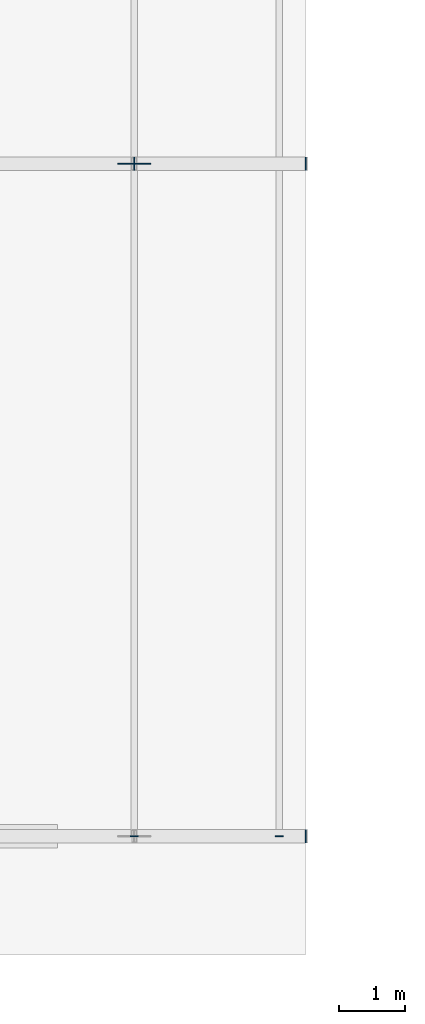
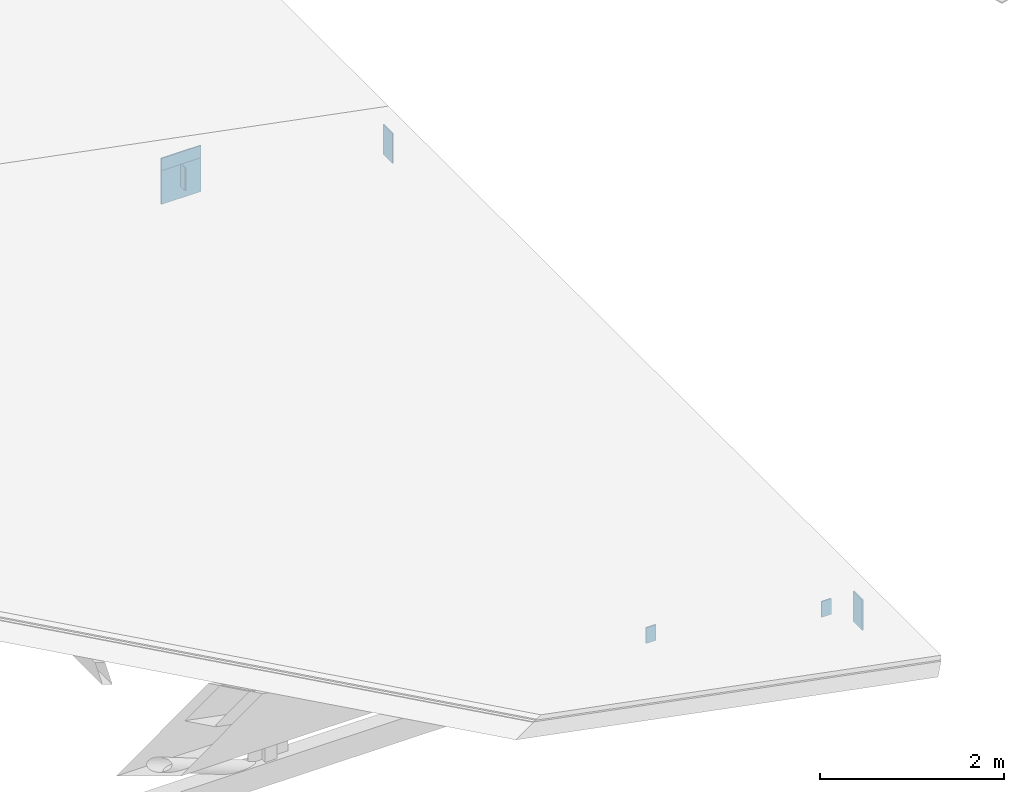
# One storey, part 149 of 200: 7 plates.
"""IFC4 building model written with IfcOpenShell, lengths in metres."""

from ifc_helpers import new_model, si_unit, direction, frame, origin, origin_2d, place, context, subcontext, project, spatial, rectangle, extrude, material, layer, layer_set, type_object, element, save


model = new_model("IFC4")

# Units and contexts
model_context = context("Model", 3, precision=1e-05, world=origin(), true_north=direction((0.0, 1.0)))
body_context = subcontext(model_context, "Body", "Model", "MODEL_VIEW")
ifc_project = project(units=[si_unit("LENGTHUNIT", "METRE"), si_unit("AREAUNIT", "SQUARE_METRE"), si_unit("VOLUMEUNIT", "CUBIC_METRE"), si_unit("PLANEANGLEUNIT", "RADIAN"), si_unit("MASSUNIT", "GRAM", prefix="KILO")], contexts=[model_context])

# Site, building, storey
site_placement = place(None, origin())
site = spatial("IfcSite", under=ifc_project, at=site_placement, CompositionType="ELEMENT")
building_placement = place(site_placement, origin())
building = spatial("IfcBuilding", under=site, at=building_placement, Name="Vondelvale Polytechnic", CompositionType="ELEMENT")
storey_placement = place(building_placement, frame((0.0, 0.0, 13.800048828125)))
storey = spatial("IfcBuildingStorey", under=building, at=storey_placement, Name="L03", CompositionType="ELEMENT", Elevation=13.800048828125)

# Plates
ifc_material = material(Name="Steel Grade 350 (fy = 340 MPa)", Category="steel")
ifc_layer_1 = layer(ifc_material, 0.01611328125)
ifc_layer_set_1 = layer_set([ifc_layer_1], Name="PLATE-CAP-300x200")
plate_type_1 = type_object("IfcPlateType", Name="PLATE-CAP-300x200", PredefinedType="USERDEFINED", material=ifc_layer_set_1)
plate_placement = place(storey_placement, frame((48.0, 61.199951171875, -0.5703125), z_axis=(0.0, 0.0, 1.0), x_axis=(1.0, 0.0, 0.0)))
element("IfcPlate", 1, at=plate_placement, inside=storey, type_object=plate_type_1, Name="ROOF TRUSS bottom chord cap plate E", ObjectType="CAP_PLATE", PredefinedType="USERDEFINED", context=body_context, shape_type="SweptSolid", body=[
    extrude(rectangle(XDim=0.01611328125, YDim=0.199951171875, at=origin_2d()), origin(), (0.0, 0.0, 1.0), 0.300048828125),
])
ifc_layer_2 = layer(ifc_material, 0.01611328125)
ifc_layer_set_2 = layer_set([ifc_layer_2], Name="PLATE-CAP-400x200")
plate_type_2 = type_object("IfcPlateType", Name="PLATE-CAP-400x200", PredefinedType="USERDEFINED", material=ifc_layer_set_2)
for number, where, z_axis, x_axis, name in (
    (2, (50.60009765625, 51.0, -1.12109375), (0.0, 0.0, 1.0), (1.0, 0.0, 0.0), "ROOF TRUSS hollow end cap plate E"),
    (3, (50.60009765625, 61.199951171875, -1.12109375), (0.0, 0.0, 1.0), (1.0, 0.0, 0.0), "ROOF TRUSS hollow end cap plate E"),
):
    element("IfcPlate", number, at=place(storey_placement, frame(where, z_axis=z_axis, x_axis=x_axis)), inside=storey, type_object=plate_type_2, Name=name, ObjectType="CAP_PLATE", PredefinedType="USERDEFINED", context=body_context, shape_type="SweptSolid", body=[
        extrude(rectangle(XDim=0.01611328125, YDim=0.199951171875, at=origin_2d()), origin(), (0.0, 0.0, 1.0), 0.39990234375),
    ])
ifc_layer_3 = layer(ifc_material, 0.011962890625)
ifc_layer_set_3 = layer_set([ifc_layer_3], Name="PLATE-CAP-C04")
plate_type_3 = type_object("IfcPlateType", Name="PLATE-CAP-C04", PredefinedType="USERDEFINED", material=ifc_layer_set_3)
for number, where, z_axis, x_axis, name in (
    (4, (48.0, 51.0, -0.423828125), (0.0, 0.0, 1.0), (1.0, 0.0, 0.0), "Workshop purlin South end cap plate 10"),
    (5, (50.199951171875, 51.0, -0.84765625), (0.0, 0.0, 1.0), (1.0, 0.0, 0.0), "Workshop purlin South end cap plate 11"),
):
    element("IfcPlate", number, at=place(storey_placement, frame(where, z_axis=z_axis, x_axis=x_axis)), inside=storey, type_object=plate_type_3, Name=name, ObjectType="CAP_PLATE", PredefinedType="USERDEFINED", context=body_context, shape_type="SweptSolid", body=[
        extrude(rectangle(XDim=0.1201171875, YDim=0.011962890625, at=origin_2d()), origin(), (0.0, 0.0, 1.0), 0.2099609375),
    ])
ifc_layer_4 = layer(ifc_material, 0.01611328125)
ifc_layer_set_4 = layer_set([ifc_layer_4], Name="PLATE-GUSSET-16")
plate_type_4 = type_object("IfcPlateType", Name="PLATE-GUSSET-16", PredefinedType="USERDEFINED", material=ifc_layer_set_4)
for number, where, z_axis, x_axis, name in (
    (6, (48.0, 61.199951171875, -0.72509765625), (0.0, 0.0, 1.0), (1.0, 0.0, 0.0), "ROOF TRUSS top chord gusset node plate 9"),
    (7, (48.0, 61.199951171875, -0.56494140625), (0.0, 0.0, 1.0), (1.0, 0.0, 0.0), "ROOF TRUSS bottom chord gusset node plate 9"),
):
    element("IfcPlate", number, at=place(storey_placement, frame(where, z_axis=z_axis, x_axis=x_axis)), inside=storey, type_object=plate_type_4, Name=name, ObjectType="GUSSET_PLATE", PredefinedType="USERDEFINED", context=body_context, shape_type="SweptSolid", body=[
        extrude(rectangle(XDim=0.5, YDim=0.01611328125, at=origin_2d()), origin(), (0.0, 0.0, 1.0), 0.449951171875),
    ])

save(model, "model.ifc")
